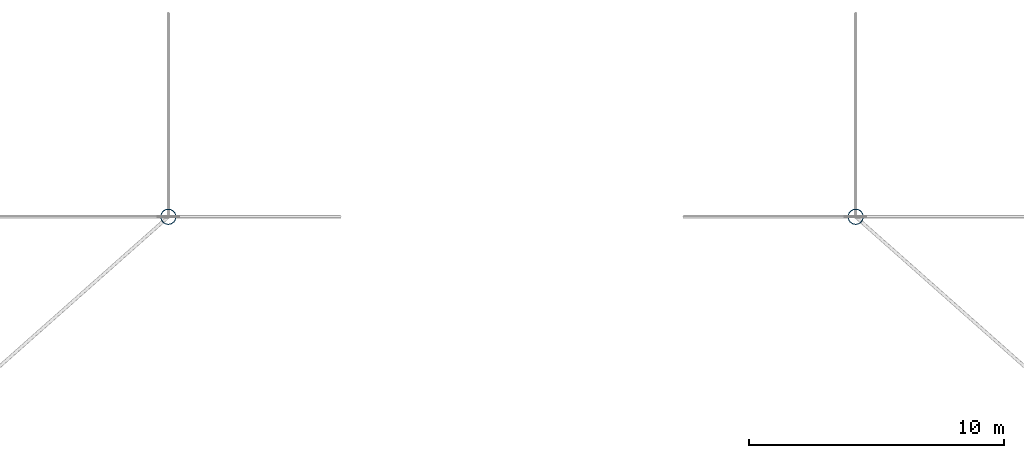
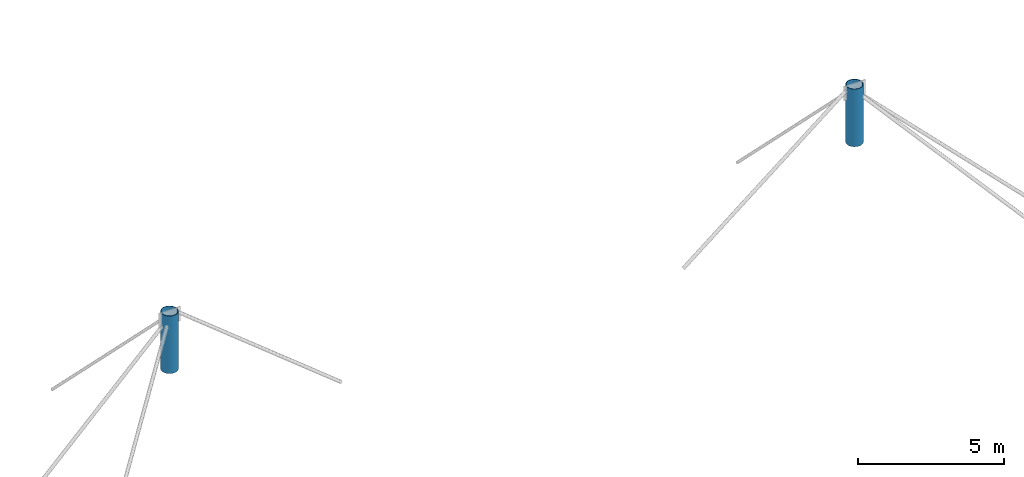
# One storey, part 1 of 58: 2 columns.
"""IFC4 building model written with IfcOpenShell, lengths in metres."""

from ifc_helpers import new_model, si_unit, derived_unit, direction, frame, origin, origin_2d, place, context, subcontext, project, spatial, hollow_circle, extrude, material, material_profile, profile_set, type_object, element, save


model = new_model("IFC4")

# Units and contexts
model_context = context("Model", 3, precision=1e-05, world=origin(), true_north=direction((0.0, 1.0)))
body_context = subcontext(model_context, "Body", "Model", "MODEL_VIEW")
ifc_project = project(units=[si_unit("LENGTHUNIT", "METRE"), si_unit("AREAUNIT", "SQUARE_METRE"), si_unit("VOLUMEUNIT", "CUBIC_METRE"), si_unit("PLANEANGLEUNIT", "RADIAN"), si_unit("MASSUNIT", "GRAM", prefix="KILO"), derived_unit("THERMALTRANSMITTANCEUNIT", [(si_unit("MASSUNIT", "GRAM", prefix="KILO"), 1), (si_unit("TIMEUNIT", "SECOND"), -3), (si_unit("THERMODYNAMICTEMPERATUREUNIT", "KELVIN"), -1)])], contexts=[model_context])

# Site, building, storey
site_placement = place(None, origin())
site = spatial("IfcSite", under=ifc_project, at=site_placement, CompositionType="ELEMENT")
building_placement = place(site_placement, origin())
building = spatial("IfcBuilding", under=site, at=building_placement, Name="Zhenchuan Archway Interchange", CompositionType="ELEMENT")
storey_placement = place(building_placement, frame((0.0, 0.0, 22.800048828125)))
storey = spatial("IfcBuildingStorey", under=building, at=storey_placement, Name="L05", CompositionType="ELEMENT", Elevation=22.800048828125)

# Columns
ifc_material = material(Name="Steel Q390", Category="steel")
ifc_material_profile = material_profile(ifc_material, hollow_circle(Radius=0.304931640625, WallThickness=0.02001953125, at=origin_2d()), Name="CHS 610x20")
ifc_profile_set = profile_set([ifc_material_profile], Name="Steel Q390")
column_type = type_object("IfcColumnType", Name="COL_STL_CHS610", PredefinedType="COLUMN", material=ifc_profile_set)
for number, where, z_axis, x_axis, name in (
    (1, (36.0, 32.0, 0.0), (0.0, 0.0, 1.0), (1.0, 0.0, 0.0), "Column 5/E (L05)"),
    (2, (63.0, 32.0, 0.0), (0.0, 0.0, 1.0), (1.0, 0.0, 0.0), "Column 8/E (L05)"),
):
    element("IfcColumn", number, at=place(storey_placement, frame(where, z_axis=z_axis, x_axis=x_axis)), inside=storey, type_object=column_type, Name=name, PredefinedType="COLUMN", context=body_context, shape_type="SweptSolid", body=[
        extrude(hollow_circle(Radius=0.304931640625, WallThickness=0.02001953125, at=origin_2d()), origin(), (0.0, 0.0, 1.0), 2.39990234375),
    ])

save(model, "model.ifc")
